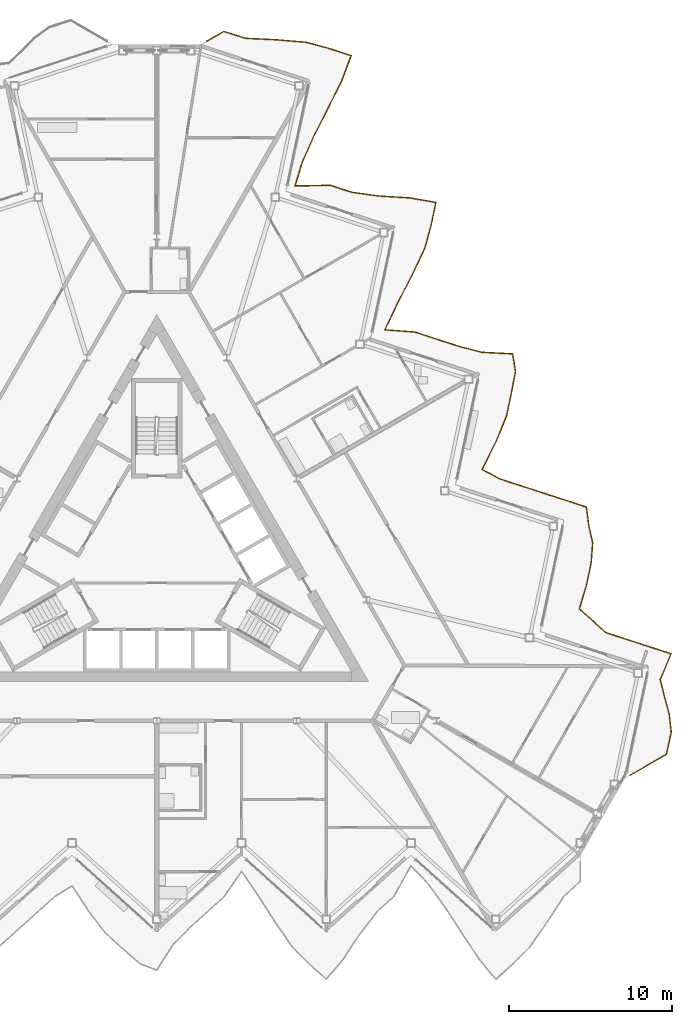
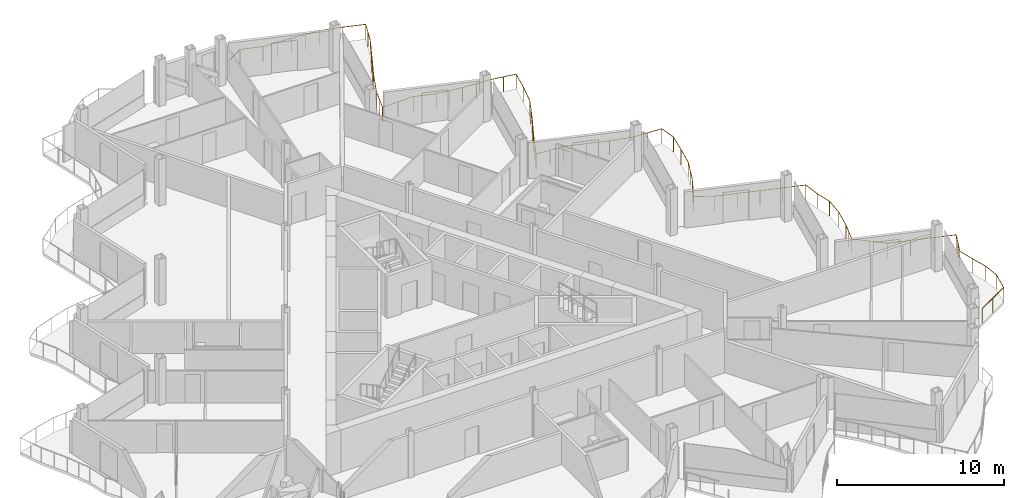
# One storey, part 24 of 26: 1 railing.
"""IFC4 building model written with IfcOpenShell, lengths in metres."""

from ifc_helpers import new_model, si_unit, direction, frame, origin, origin_2d, place, context, subcontext, project, spatial, circle, extrude, material, type_object, element, save


model = new_model("IFC4")

# Units and contexts
model_context = context("Model", 3, precision=1e-05, world=origin(), true_north=direction((0.0, 1.0)))
body_context = subcontext(model_context, "Body", "Model", "MODEL_VIEW")
ifc_project = project(units=[si_unit("LENGTHUNIT", "METRE"), si_unit("AREAUNIT", "SQUARE_METRE"), si_unit("VOLUMEUNIT", "CUBIC_METRE"), si_unit("PLANEANGLEUNIT", "RADIAN"), si_unit("MASSUNIT", "GRAM", prefix="KILO")], contexts=[model_context])

# Site, building, storey
site_placement = place(None, origin())
site = spatial("IfcSite", under=ifc_project, at=site_placement, CompositionType="ELEMENT")
building_placement = place(site_placement, origin())
building = spatial("IfcBuilding", under=site, at=building_placement, Name="Cormorant Prow Tower", CompositionType="ELEMENT")
storey_placement = place(building_placement, frame((0.0, 0.0, 367.800048828125)))
storey = spatial("IfcBuildingStorey", under=building, at=storey_placement, Name="L82", CompositionType="ELEMENT", Elevation=367.800048828125)

# Railing
ifc_material = material(Name="Aluminium 6063-T6", Category="aluminium")
railing_type = type_object("IfcRailingType", Name="Balcony guard 1100", PredefinedType="GUARDRAIL", material=ifc_material)
railing_placement = place(storey_placement, frame((29.0537109375, -13.248046875, 0.0)))
element("IfcRailing", 1, at=railing_placement, inside=storey, type_object=railing_type, Name="Balcony guard ENE", PredefinedType="GUARDRAIL", context=body_context, shape_type="SweptSolid", body=[
    extrude(circle(Radius=0.02392578125, at=origin_2d()), frame((0.0, 0.0, 1.076171875), z_axis=(0.866013163002, 0.500021201058, 0.0), x_axis=(-0.500021201058, 0.866013163002, 0.0)), (0.0, 0.0, 1.0), 2.5703125),
    extrude(circle(Radius=0.02392578125, at=origin_2d()), frame((2.225830078125, 1.28515625, 1.076171875), z_axis=(0.207944297815, 0.978140669335, 0.0), x_axis=(-0.978140669335, 0.207944297815, 0.0)), (0.0, 0.0, 1.0), 1.3994140625),
    extrude(circle(Radius=0.02392578125, at=origin_2d()), frame((2.516845703125, 2.654052734375, 1.076171875), z_axis=(-0.111446863874, 0.993770394273, 0.0), x_axis=(-0.993770394273, -0.111446863874, 0.0)), (0.0, 0.0, 1.0), 1.134765625),
    extrude(circle(Radius=0.02392578125, at=origin_2d()), frame((2.390380859375, 3.78173828125, 1.076171875), z_axis=(-0.265499582895, 0.964110974672, 0.0), x_axis=(-0.964110974672, -0.265499582895, 0.0)), (0.0, 0.0, 1.0), 1.074951171875),
    extrude(circle(Radius=0.02392578125, at=origin_2d()), frame((2.10498046875, 4.818115234375, 1.076171875), z_axis=(-0.240465072316, 0.97065779191, 0.0), x_axis=(-0.97065779191, -0.240465072316, 0.0)), (0.0, 0.0, 1.0), 1.082275390625),
    extrude(circle(Radius=0.02392578125, at=origin_2d()), frame((1.8447265625, 5.86865234375, 1.076171875), z_axis=(0.387606456265, 0.921824948166, 0.0), x_axis=(-0.921824948166, 0.387606456265, 0.0)), (0.0, 0.0, 1.0), 1.72021484375),
    extrude(circle(Radius=0.02392578125, at=origin_2d()), frame((2.511474609375, 7.454345703125, 1.076171875), z_axis=(-0.951028941009, 0.309101849499, 0.0), x_axis=(-0.309101849499, -0.951028941009, 0.0)), (0.0, 0.0, 1.0), 1.399658203125),
    extrude(circle(Radius=0.02392578125, at=origin_2d()), frame((1.180419921875, 7.886962890625, 1.076171875), z_axis=(-0.951063554534, 0.308995332064, 0.0), x_axis=(-0.308995332064, -0.951063554534, 0.0)), (0.0, 0.0, 1.0), 1.399169921875),
    extrude(circle(Radius=0.02392578125, at=origin_2d()), frame((-0.150390625, 8.3193359375, 1.076171875), z_axis=(-0.951028941009, 0.309101849499, 0.0), x_axis=(-0.309101849499, -0.951028941009, 0.0)), (0.0, 0.0, 1.0), 1.399658203125),
    extrude(circle(Radius=0.02392578125, at=origin_2d()), frame((-1.4814453125, 8.751953125, 1.076171875), z_axis=(-0.748465004578, 0.663174288496, 0.0), x_axis=(-0.663174288496, -0.748465004578, 0.0)), (0.0, 0.0, 1.0), 1.096435546875),
    extrude(circle(Radius=0.02392578125, at=origin_2d()), frame((-2.302001953125, 9.47900390625, 1.076171875), z_axis=(-0.746510864736, 0.665373225213, 0.0), x_axis=(-0.665373225213, -0.746510864736, 0.0)), (0.0, 0.0, 1.0), 1.09521484375),
    extrude(circle(Radius=0.02392578125, at=origin_2d()), frame((-3.11962890625, 10.207763671875, 1.076171875), z_axis=(0.287746499695, 0.957706610562, 0.0), x_axis=(-0.957706610562, 0.287746499695, 0.0)), (0.0, 0.0, 1.0), 1.51708984375),
    extrude(circle(Radius=0.02392578125, at=origin_2d()), frame((-2.68310546875, 11.66064453125, 1.076171875), z_axis=(0.20777738218, 0.978176139279, 0.0), x_axis=(-0.978176139279, 0.20777738218, 0.0)), (0.0, 0.0, 1.0), 1.3994140625),
    extrude(circle(Radius=0.02392578125, at=origin_2d()), frame((-2.392333984375, 13.029541015625, 1.076171875), z_axis=(0.06930989136, 0.997595177895, 0.0), x_axis=(-0.997595177895, 0.06930989136, 0.0)), (0.0, 0.0, 1.0), 1.25390625),
    extrude(circle(Radius=0.02392578125, at=origin_2d()), frame((-2.305419921875, 14.280517578125, 1.076171875), z_axis=(-0.222057343381, 0.975033607754, 0.0), x_axis=(-0.975033607754, -0.222057343381, 0.0)), (0.0, 0.0, 1.0), 1.08837890625),
    extrude(circle(Radius=0.02392578125, at=origin_2d()), frame((-2.547119140625, 15.341796875, 1.076171875), z_axis=(-0.125286334102, 0.992120624968, 0.0), x_axis=(-0.992120624968, -0.125286334102, 0.0)), (0.0, 0.0, 1.0), 1.128173828125),
    extrude(circle(Radius=0.02392578125, at=origin_2d()), frame((-2.6884765625, 16.461181640625, 1.076171875), z_axis=(-0.951080208938, 0.308944066403, 0.0), x_axis=(-0.308944066403, -0.951080208938, 0.0)), (0.0, 0.0, 1.0), 1.3994140625),
    extrude(circle(Radius=0.02392578125, at=origin_2d()), frame((-4.01953125, 16.8935546875, 1.076171875), z_axis=(-0.951063554534, 0.308995332064, 0.0), x_axis=(-0.308995332064, -0.951063554534, 0.0)), (0.0, 0.0, 1.0), 1.399169921875),
    extrude(circle(Radius=0.02392578125, at=origin_2d()), frame((-5.350341796875, 17.325927734375, 1.076171875), z_axis=(-0.951028941009, 0.309101849499, 0.0), x_axis=(-0.309101849499, -0.951028941009, 0.0)), (0.0, 0.0, 1.0), 1.399658203125),
    extrude(circle(Radius=0.02392578125, at=origin_2d()), frame((-6.681396484375, 17.758544921875, 1.076171875), z_axis=(-0.951080208938, 0.308944066403, 0.0), x_axis=(-0.308944066403, -0.951080208938, 0.0)), (0.0, 0.0, 1.0), 1.3994140625),
    extrude(circle(Radius=0.02392578125, at=origin_2d()), frame((-8.012451171875, 18.19091796875, 1.076171875), z_axis=(-0.880259311771, 0.474492933604, 0.0), x_axis=(-0.474492933604, -0.880259311771, 0.0)), (0.0, 0.0, 1.0), 1.221923828125),
    extrude(circle(Radius=0.02392578125, at=origin_2d()), frame((-9.088134765625, 18.770751953125, 1.076171875), z_axis=(0.451012966312, 0.892517397152, 0.0), x_axis=(-0.892517397152, 0.451012966312, 0.0)), (0.0, 0.0, 1.0), 1.89990234375),
    extrude(circle(Radius=0.02392578125, at=origin_2d()), frame((-8.231201171875, 20.466552734375, 1.076171875), z_axis=(0.377022296737, 0.926204182545, 0.0), x_axis=(-0.926204182545, 0.377022296737, 0.0)), (0.0, 0.0, 1.0), 1.694580078125),
    extrude(circle(Radius=0.02392578125, at=origin_2d()), frame((-7.59228515625, 22.0361328125, 1.076171875), z_axis=(0.207944297815, 0.978140669335, 0.0), x_axis=(-0.978140669335, 0.207944297815, 0.0)), (0.0, 0.0, 1.0), 1.3994140625),
    extrude(circle(Radius=0.02392578125, at=origin_2d()), frame((-7.30126953125, 23.405029296875, 1.076171875), z_axis=(0.18928822306, 0.98192156948, 0.0), x_axis=(-0.98192156948, 0.18928822306, 0.0)), (0.0, 0.0, 1.0), 1.376220703125),
    extrude(circle(Radius=0.02392578125, at=origin_2d()), frame((-7.040771484375, 24.75634765625, 1.076171875), z_axis=(-0.150874046864, 0.988552994018, 0.0), x_axis=(-0.988552994018, -0.150874046864, 0.0)), (0.0, 0.0, 1.0), 1.116455078125),
    extrude(circle(Radius=0.02392578125, at=origin_2d()), frame((-7.209228515625, 25.860107421875, 1.076171875), z_axis=(-0.998752021132, 0.049943971461, 0.0), x_axis=(-0.049943971461, -0.998752021132, 0.0)), (0.0, 0.0, 1.0), 1.916259765625),
    extrude(circle(Radius=0.02392578125, at=origin_2d()), frame((-9.123046875, 25.955810546875, 1.076171875), z_axis=(-0.966847067746, 0.255356119158, 0.0), x_axis=(-0.255356119158, -0.966847067746, 0.0)), (0.0, 0.0, 1.0), 1.47607421875),
    extrude(circle(Radius=0.02392578125, at=origin_2d()), frame((-10.55029296875, 26.332763671875, 1.076171875), z_axis=(-0.951080208938, 0.308944066403, 0.0), x_axis=(-0.308944066403, -0.951080208938, 0.0)), (0.0, 0.0, 1.0), 1.3994140625),
    extrude(circle(Radius=0.02392578125, at=origin_2d()), frame((-11.88134765625, 26.76513671875, 1.076171875), z_axis=(-0.951080208938, 0.308944066403, 0.0), x_axis=(-0.308944066403, -0.951080208938, 0.0)), (0.0, 0.0, 1.0), 1.3994140625),
    extrude(circle(Radius=0.02392578125, at=origin_2d()), frame((-13.21240234375, 27.197509765625, 1.076171875), z_axis=(-0.997206453657, 0.074694636924, 0.0), x_axis=(-0.074694636924, -0.997206453657, 0.0)), (0.0, 0.0, 1.0), 1.8466796875),
    extrude(circle(Radius=0.02392578125, at=origin_2d()), frame((-15.053955078125, 27.33544921875, 1.076171875), z_axis=(0.434157433131, 0.900837012593, 0.0), x_axis=(-0.900837012593, 0.434157433131, 0.0)), (0.0, 0.0, 1.0), 1.8466796875),
    extrude(circle(Radius=0.02392578125, at=origin_2d()), frame((-14.252197265625, 28.9990234375, 1.076171875), z_axis=(0.457304922398, 0.889309961684, 0.0), x_axis=(-0.889309961684, 0.457304922398, 0.0)), (0.0, 0.0, 1.0), 1.92041015625),
    extrude(circle(Radius=0.02392578125, at=origin_2d()), frame((-13.3740234375, 30.706787109375, 1.076171875), z_axis=(0.427552298794, 0.903990614883, 0.0), x_axis=(-0.903990614883, 0.427552298794, 0.0)), (0.0, 0.0, 1.0), 1.827880859375),
    extrude(circle(Radius=0.02392578125, at=origin_2d()), frame((-12.592529296875, 32.359130859375, 1.076171875), z_axis=(0.259747429895, 0.965676588027, 0.0), x_axis=(-0.965676588027, 0.259747429895, 0.0)), (0.0, 0.0, 1.0), 1.471923828125),
    extrude(circle(Radius=0.02392578125, at=origin_2d()), frame((-12.210205078125, 33.780517578125, 1.076171875), z_axis=(0.20777738218, 0.978176139279, 0.0), x_axis=(-0.978176139279, 0.20777738218, 0.0)), (0.0, 0.0, 1.0), 1.3994140625),
    extrude(circle(Radius=0.02392578125, at=origin_2d()), frame((-11.91943359375, 35.1494140625, 1.076171875), z_axis=(-0.985103249927, 0.171963911864, 0.0), x_axis=(-0.171963911864, -0.985103249927, 0.0)), (0.0, 0.0, 1.0), 1.621337890625),
    extrude(circle(Radius=0.02392578125, at=origin_2d()), frame((-13.5166015625, 35.42822265625, 1.076171875), z_axis=(-0.998135869432, 0.061031026159, 0.0), x_axis=(-0.061031026159, -0.998135869432, 0.0)), (0.0, 0.0, 1.0), 1.884033203125),
    extrude(circle(Radius=0.02392578125, at=origin_2d()), frame((-15.397216796875, 35.543212890625, 1.076171875), z_axis=(-0.990919116289, 0.134459306009, 0.0), x_axis=(-0.134459306009, -0.990919116289, 0.0)), (0.0, 0.0, 1.0), 1.699462890625),
    extrude(circle(Radius=0.02392578125, at=origin_2d()), frame((-17.081298828125, 35.771728515625, 1.076171875), z_axis=(-0.951028941009, 0.309101849499, 0.0), x_axis=(-0.309101849499, -0.951028941009, 0.0)), (0.0, 0.0, 1.0), 1.399658203125),
    extrude(circle(Radius=0.02392578125, at=origin_2d()), frame((-18.412353515625, 36.204345703125, 1.076171875), z_axis=(-0.99980550603, -0.019721818167, 0.0), x_axis=(0.019721818167, -0.99980550603, 0.0)), (0.0, 0.0, 1.0), 2.154052734375),
    extrude(circle(Radius=0.02392578125, at=origin_2d()), frame((-20.56591796875, 36.161865234375, 1.076171875), z_axis=(0.292104612401, 0.956386373499, 0.0), x_axis=(-0.956386373499, 0.292104612401, 0.0)), (0.0, 0.0, 1.0), 1.5244140625),
    extrude(circle(Radius=0.02392578125, at=origin_2d()), frame((-20.12060546875, 37.619873046875, 1.076171875), z_axis=(0.406509843318, 0.913646401671, 0.0), x_axis=(-0.913646401671, 0.406509843318, 0.0)), (0.0, 0.0, 1.0), 1.768798828125),
    extrude(circle(Radius=0.02392578125, at=origin_2d()), frame((-19.401611328125, 39.23583984375, 1.076171875), z_axis=(0.453699663288, 0.891154652982, 0.0), x_axis=(-0.891154652982, 0.453699663288, 0.0)), (0.0, 0.0, 1.0), 1.90869140625),
    extrude(circle(Radius=0.02392578125, at=origin_2d()), frame((-18.53564453125, 40.936767578125, 1.076171875), z_axis=(0.4472135955, 0.894427191, 0.0), x_axis=(-0.894427191, 0.4472135955, 0.0)), (0.0, 0.0, 1.0), 1.88720703125),
    extrude(circle(Radius=0.02392578125, at=origin_2d()), frame((-17.691650390625, 42.624755859375, 1.076171875), z_axis=(0.350026759088, 0.936739701263, 0.0), x_axis=(-0.936739701263, 0.350026759088, 0.0)), (0.0, 0.0, 1.0), 1.635009765625),
    extrude(circle(Radius=0.02392578125, at=origin_2d()), frame((-17.119384765625, 44.15625, 1.076171875), z_axis=(-0.951063554534, 0.308995332064, 0.0), x_axis=(-0.308995332064, -0.951063554534, 0.0)), (0.0, 0.0, 1.0), 1.399169921875),
    extrude(circle(Radius=0.02392578125, at=origin_2d()), frame((-18.4501953125, 44.588623046875, 1.076171875), z_axis=(-0.964404650795, 0.264430840723, 0.0), x_axis=(-0.264430840723, -0.964404650795, 0.0)), (0.0, 0.0, 1.0), 1.46240234375),
    extrude(circle(Radius=0.02392578125, at=origin_2d()), frame((-19.860595703125, 44.975341796875, 1.076171875), z_axis=(-0.996499406078, 0.083599842618, 0.0), x_axis=(-0.083599842618, -0.996499406078, 0.0)), (0.0, 0.0, 1.0), 1.822265625),
    extrude(circle(Radius=0.02392578125, at=origin_2d()), frame((-21.676513671875, 45.127685546875, 1.076171875), z_axis=(-0.998807214083, 0.048827749231, 0.0), x_axis=(-0.048827749231, -0.998807214083, 0.0)), (0.0, 0.0, 1.0), 1.919921875),
    extrude(circle(Radius=0.02392578125, at=origin_2d()), frame((-23.59423828125, 45.221435546875, 1.076171875), z_axis=(-0.954424643559, 0.298452005803, 0.0), x_axis=(-0.298452005803, -0.954424643559, 0.0)), (0.0, 0.0, 1.0), 1.41357421875),
    extrude(circle(Radius=0.02392578125, at=origin_2d()), frame((-24.943359375, 45.643310546875, 1.076171875), z_axis=(-0.866092288191, -0.499884134912, 0.0), x_axis=(0.499884134912, -0.866092288191, 0.0)), (0.0, 0.0, 1.0), 1.219970703125),
    extrude(circle(Radius=0.02099609375, at=origin_2d()), origin(), (0.0, 0.0, 1.0), 1.052001953125),
    extrude(circle(Radius=0.02099609375, at=origin_2d()), frame((1.11279296875, 0.642578125, 0.0)), (0.0, 0.0, 1.0), 1.052001953125),
    extrude(circle(Radius=0.02099609375, at=origin_2d()), frame((2.225830078125, 1.28515625, 0.0)), (0.0, 0.0, 1.0), 1.052001953125),
    extrude(circle(Radius=0.02099609375, at=origin_2d()), frame((2.516845703125, 2.654052734375, 0.0)), (0.0, 0.0, 1.0), 1.052001953125),
    extrude(circle(Radius=0.02099609375, at=origin_2d()), frame((2.390380859375, 3.78173828125, 0.0)), (0.0, 0.0, 1.0), 1.052001953125),
    extrude(circle(Radius=0.02099609375, at=origin_2d()), frame((2.10498046875, 4.818115234375, 0.0)), (0.0, 0.0, 1.0), 1.052001953125),
    extrude(circle(Radius=0.02099609375, at=origin_2d()), frame((1.8447265625, 5.86865234375, 0.0)), (0.0, 0.0, 1.0), 1.052001953125),
    extrude(circle(Radius=0.02099609375, at=origin_2d()), frame((2.17822265625, 6.66162109375, 0.0)), (0.0, 0.0, 1.0), 1.052001953125),
    extrude(circle(Radius=0.02099609375, at=origin_2d()), frame((2.511474609375, 7.454345703125, 0.0)), (0.0, 0.0, 1.0), 1.052001953125),
    extrude(circle(Radius=0.02099609375, at=origin_2d()), frame((1.180419921875, 7.886962890625, 0.0)), (0.0, 0.0, 1.0), 1.052001953125),
    extrude(circle(Radius=0.02099609375, at=origin_2d()), frame((-0.150390625, 8.3193359375, 0.0)), (0.0, 0.0, 1.0), 1.052001953125),
    extrude(circle(Radius=0.02099609375, at=origin_2d()), frame((-1.4814453125, 8.751953125, 0.0)), (0.0, 0.0, 1.0), 1.052001953125),
    extrude(circle(Radius=0.02099609375, at=origin_2d()), frame((-2.302001953125, 9.47900390625, 0.0)), (0.0, 0.0, 1.0), 1.052001953125),
    extrude(circle(Radius=0.02099609375, at=origin_2d()), frame((-3.11962890625, 10.207763671875, 0.0)), (0.0, 0.0, 1.0), 1.052001953125),
    extrude(circle(Radius=0.02099609375, at=origin_2d()), frame((-2.9013671875, 10.93408203125, 0.0)), (0.0, 0.0, 1.0), 1.052001953125),
    extrude(circle(Radius=0.02099609375, at=origin_2d()), frame((-2.68310546875, 11.66064453125, 0.0)), (0.0, 0.0, 1.0), 1.052001953125),
    extrude(circle(Radius=0.02099609375, at=origin_2d()), frame((-2.392333984375, 13.029541015625, 0.0)), (0.0, 0.0, 1.0), 1.052001953125),
    extrude(circle(Radius=0.02099609375, at=origin_2d()), frame((-2.305419921875, 14.280517578125, 0.0)), (0.0, 0.0, 1.0), 1.052001953125),
    extrude(circle(Radius=0.02099609375, at=origin_2d()), frame((-2.547119140625, 15.341796875, 0.0)), (0.0, 0.0, 1.0), 1.052001953125),
    extrude(circle(Radius=0.02099609375, at=origin_2d()), frame((-2.6884765625, 16.461181640625, 0.0)), (0.0, 0.0, 1.0), 1.052001953125),
    extrude(circle(Radius=0.02099609375, at=origin_2d()), frame((-4.01953125, 16.8935546875, 0.0)), (0.0, 0.0, 1.0), 1.052001953125),
    extrude(circle(Radius=0.02099609375, at=origin_2d()), frame((-5.350341796875, 17.325927734375, 0.0)), (0.0, 0.0, 1.0), 1.052001953125),
    extrude(circle(Radius=0.02099609375, at=origin_2d()), frame((-6.681396484375, 17.758544921875, 0.0)), (0.0, 0.0, 1.0), 1.052001953125),
    extrude(circle(Radius=0.02099609375, at=origin_2d()), frame((-8.012451171875, 18.19091796875, 0.0)), (0.0, 0.0, 1.0), 1.052001953125),
    extrude(circle(Radius=0.02099609375, at=origin_2d()), frame((-9.088134765625, 18.770751953125, 0.0)), (0.0, 0.0, 1.0), 1.052001953125),
    extrude(circle(Radius=0.02099609375, at=origin_2d()), frame((-8.65966796875, 19.61865234375, 0.0)), (0.0, 0.0, 1.0), 1.052001953125),
    extrude(circle(Radius=0.02099609375, at=origin_2d()), frame((-8.231201171875, 20.466552734375, 0.0)), (0.0, 0.0, 1.0), 1.052001953125),
    extrude(circle(Radius=0.02099609375, at=origin_2d()), frame((-7.91162109375, 21.25146484375, 0.0)), (0.0, 0.0, 1.0), 1.052001953125),
    extrude(circle(Radius=0.02099609375, at=origin_2d()), frame((-7.59228515625, 22.0361328125, 0.0)), (0.0, 0.0, 1.0), 1.052001953125),
    extrude(circle(Radius=0.02099609375, at=origin_2d()), frame((-7.30126953125, 23.405029296875, 0.0)), (0.0, 0.0, 1.0), 1.052001953125),
    extrude(circle(Radius=0.02099609375, at=origin_2d()), frame((-7.040771484375, 24.75634765625, 0.0)), (0.0, 0.0, 1.0), 1.052001953125),
    extrude(circle(Radius=0.02099609375, at=origin_2d()), frame((-7.209228515625, 25.860107421875, 0.0)), (0.0, 0.0, 1.0), 1.052001953125),
    extrude(circle(Radius=0.02099609375, at=origin_2d()), frame((-8.166015625, 25.907958984375, 0.0)), (0.0, 0.0, 1.0), 1.052001953125),
    extrude(circle(Radius=0.02099609375, at=origin_2d()), frame((-9.123046875, 25.955810546875, 0.0)), (0.0, 0.0, 1.0), 1.052001953125),
    extrude(circle(Radius=0.02099609375, at=origin_2d()), frame((-10.55029296875, 26.332763671875, 0.0)), (0.0, 0.0, 1.0), 1.052001953125),
    extrude(circle(Radius=0.02099609375, at=origin_2d()), frame((-11.88134765625, 26.76513671875, 0.0)), (0.0, 0.0, 1.0), 1.052001953125),
    extrude(circle(Radius=0.02099609375, at=origin_2d()), frame((-13.21240234375, 27.197509765625, 0.0)), (0.0, 0.0, 1.0), 1.052001953125),
    extrude(circle(Radius=0.02099609375, at=origin_2d()), frame((-14.13330078125, 27.2666015625, 0.0)), (0.0, 0.0, 1.0), 1.052001953125),
    extrude(circle(Radius=0.02099609375, at=origin_2d()), frame((-15.053955078125, 27.33544921875, 0.0)), (0.0, 0.0, 1.0), 1.052001953125),
    extrude(circle(Radius=0.02099609375, at=origin_2d()), frame((-14.653076171875, 28.167236328125, 0.0)), (0.0, 0.0, 1.0), 1.052001953125),
    extrude(circle(Radius=0.02099609375, at=origin_2d()), frame((-14.252197265625, 28.9990234375, 0.0)), (0.0, 0.0, 1.0), 1.052001953125),
    extrude(circle(Radius=0.02099609375, at=origin_2d()), frame((-13.81298828125, 29.85302734375, 0.0)), (0.0, 0.0, 1.0), 1.052001953125),
    extrude(circle(Radius=0.02099609375, at=origin_2d()), frame((-13.3740234375, 30.706787109375, 0.0)), (0.0, 0.0, 1.0), 1.052001953125),
    extrude(circle(Radius=0.02099609375, at=origin_2d()), frame((-12.9833984375, 31.532958984375, 0.0)), (0.0, 0.0, 1.0), 1.052001953125),
    extrude(circle(Radius=0.02099609375, at=origin_2d()), frame((-12.592529296875, 32.359130859375, 0.0)), (0.0, 0.0, 1.0), 1.052001953125),
    extrude(circle(Radius=0.02099609375, at=origin_2d()), frame((-12.210205078125, 33.780517578125, 0.0)), (0.0, 0.0, 1.0), 1.052001953125),
    extrude(circle(Radius=0.02099609375, at=origin_2d()), frame((-11.91943359375, 35.1494140625, 0.0)), (0.0, 0.0, 1.0), 1.052001953125),
    extrude(circle(Radius=0.02099609375, at=origin_2d()), frame((-12.718017578125, 35.288818359375, 0.0)), (0.0, 0.0, 1.0), 1.052001953125),
    extrude(circle(Radius=0.02099609375, at=origin_2d()), frame((-13.5166015625, 35.42822265625, 0.0)), (0.0, 0.0, 1.0), 1.052001953125),
    extrude(circle(Radius=0.02099609375, at=origin_2d()), frame((-14.45703125, 35.48583984375, 0.0)), (0.0, 0.0, 1.0), 1.052001953125),
    extrude(circle(Radius=0.02099609375, at=origin_2d()), frame((-15.397216796875, 35.543212890625, 0.0)), (0.0, 0.0, 1.0), 1.052001953125),
    extrude(circle(Radius=0.02099609375, at=origin_2d()), frame((-16.2392578125, 35.657470703125, 0.0)), (0.0, 0.0, 1.0), 1.052001953125),
    extrude(circle(Radius=0.02099609375, at=origin_2d()), frame((-17.081298828125, 35.771728515625, 0.0)), (0.0, 0.0, 1.0), 1.052001953125),
    extrude(circle(Radius=0.02099609375, at=origin_2d()), frame((-18.412353515625, 36.204345703125, 0.0)), (0.0, 0.0, 1.0), 1.052001953125),
    extrude(circle(Radius=0.02099609375, at=origin_2d()), frame((-19.4892578125, 36.18310546875, 0.0)), (0.0, 0.0, 1.0), 1.052001953125),
    extrude(circle(Radius=0.02099609375, at=origin_2d()), frame((-20.56591796875, 36.161865234375, 0.0)), (0.0, 0.0, 1.0), 1.052001953125),
    extrude(circle(Radius=0.02099609375, at=origin_2d()), frame((-20.34326171875, 36.890869140625, 0.0)), (0.0, 0.0, 1.0), 1.052001953125),
    extrude(circle(Radius=0.02099609375, at=origin_2d()), frame((-20.12060546875, 37.619873046875, 0.0)), (0.0, 0.0, 1.0), 1.052001953125),
    extrude(circle(Radius=0.02099609375, at=origin_2d()), frame((-19.76123046875, 38.427734375, 0.0)), (0.0, 0.0, 1.0), 1.052001953125),
    extrude(circle(Radius=0.02099609375, at=origin_2d()), frame((-19.401611328125, 39.23583984375, 0.0)), (0.0, 0.0, 1.0), 1.052001953125),
    extrude(circle(Radius=0.02099609375, at=origin_2d()), frame((-18.96875, 40.08642578125, 0.0)), (0.0, 0.0, 1.0), 1.052001953125),
    extrude(circle(Radius=0.02099609375, at=origin_2d()), frame((-18.53564453125, 40.936767578125, 0.0)), (0.0, 0.0, 1.0), 1.052001953125),
    extrude(circle(Radius=0.02099609375, at=origin_2d()), frame((-18.11376953125, 41.78076171875, 0.0)), (0.0, 0.0, 1.0), 1.052001953125),
    extrude(circle(Radius=0.02099609375, at=origin_2d()), frame((-17.691650390625, 42.624755859375, 0.0)), (0.0, 0.0, 1.0), 1.052001953125),
    extrude(circle(Radius=0.02099609375, at=origin_2d()), frame((-17.405517578125, 43.390625, 0.0)), (0.0, 0.0, 1.0), 1.052001953125),
    extrude(circle(Radius=0.02099609375, at=origin_2d()), frame((-17.119384765625, 44.15625, 0.0)), (0.0, 0.0, 1.0), 1.052001953125),
    extrude(circle(Radius=0.02099609375, at=origin_2d()), frame((-18.4501953125, 44.588623046875, 0.0)), (0.0, 0.0, 1.0), 1.052001953125),
    extrude(circle(Radius=0.02099609375, at=origin_2d()), frame((-19.860595703125, 44.975341796875, 0.0)), (0.0, 0.0, 1.0), 1.052001953125),
    extrude(circle(Radius=0.02099609375, at=origin_2d()), frame((-20.7685546875, 45.051513671875, 0.0)), (0.0, 0.0, 1.0), 1.052001953125),
    extrude(circle(Radius=0.02099609375, at=origin_2d()), frame((-21.676513671875, 45.127685546875, 0.0)), (0.0, 0.0, 1.0), 1.052001953125),
    extrude(circle(Radius=0.02099609375, at=origin_2d()), frame((-22.63525390625, 45.174560546875, 0.0)), (0.0, 0.0, 1.0), 1.052001953125),
    extrude(circle(Radius=0.02099609375, at=origin_2d()), frame((-23.59423828125, 45.221435546875, 0.0)), (0.0, 0.0, 1.0), 1.052001953125),
    extrude(circle(Radius=0.02099609375, at=origin_2d()), frame((-24.943359375, 45.643310546875, 0.0)), (0.0, 0.0, 1.0), 1.052001953125),
    extrude(circle(Radius=0.02099609375, at=origin_2d()), frame((-26.0, 45.033447265625, 0.0)), (0.0, 0.0, 1.0), 1.052001953125),
])

save(model, "model.ifc")
